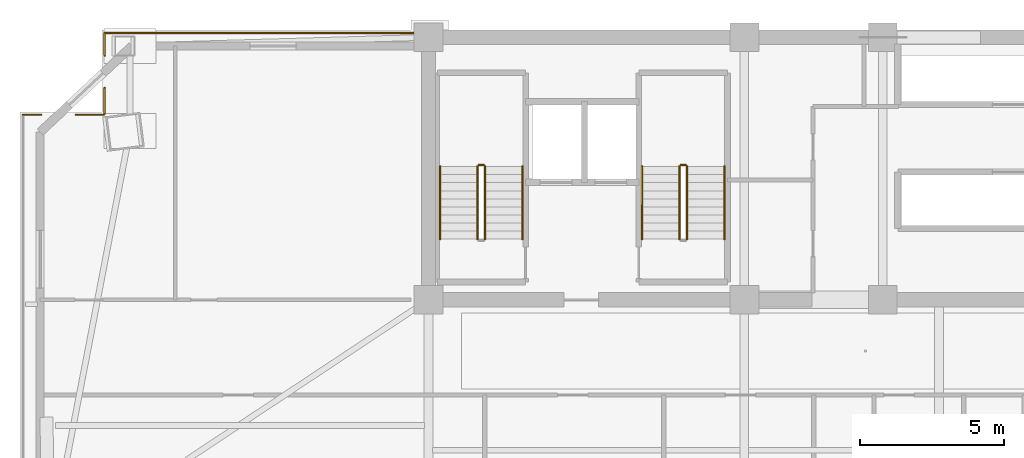
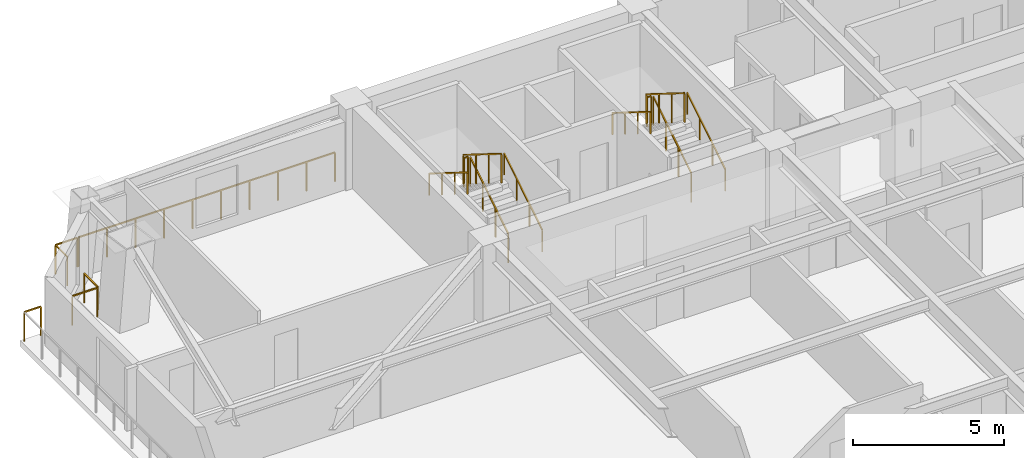
# One storey, part 15 of 16: 16 railings.
"""IFC4 building model written with IfcOpenShell, lengths in metres."""

import ifcopenshell
import ifcopenshell.guid

model = None  # the IFC model being written
_history = None  # IfcOwnerHistory: only IFC2X3 demands one
_inside = {}  # id of a spatial element -> (the spatial element, [elements in it])
_under = {}  # id of a project, library or spatial element -> (it, [spatial elements below it])
_declared = {}  # id of a project -> (the project, [libraries it declares])
_typed = {}  # id of a type object -> (the type object, [elements of that type])
_made_of = {}  # id of a material, layer set ... -> (it, [elements and type objects made of it])


def new_model(schema):
    """Start an empty IFC model of exactly this schema.

    Asked for "IFC4X3", IfcOpenShell would pick the latest addendum, in which some entities
    have other attributes; the version numbers below select the first issue.
    IFC2X3 requires an IfcOwnerHistory on every rooted entity: one is made here for all.
    """
    global model, _history
    if schema == "IFC4X3":
        model = ifcopenshell.file(schema_version=(4, 3, 0, 0))
    else:
        model = ifcopenshell.file(schema=schema)
    _inside.clear()
    _under.clear()
    _declared.clear()
    _typed.clear()
    _made_of.clear()
    _history = None
    if model.schema == "IFC2X3":
        org = make("IfcOrganization", Name="unknown")
        user = make(
            "IfcPersonAndOrganization",
            ThePerson=make("IfcPerson", FamilyName="unknown"),
            TheOrganization=org,
        )
        app = make(
            "IfcApplication",
            ApplicationDeveloper=org,
            Version="unknown",
            ApplicationFullName="unknown",
            ApplicationIdentifier="unknown",
        )
        _history = make(
            "IfcOwnerHistory",
            OwningUser=user,
            OwningApplication=app,
            ChangeAction="ADDED",
            CreationDate=0,
        )
    return model


def make(cls, **values):
    """One entity of the class cls with the attributes given. An attribute that is None is left unset."""
    return model.create_entity(
        cls, **{name: value for name, value in values.items() if value is not None}
    )


def rooted(cls, **values):
    """An entity with a GlobalId (a new one), such as an element, a storey or a relation."""
    return make(cls, GlobalId=ifcopenshell.guid.new(), OwnerHistory=_history, **values)


def si_unit(unit_type, name, prefix=None):
    """IfcSIUnit, for example si_unit("LENGTHUNIT", "METRE", prefix="MILLI")."""
    return make("IfcSIUnit", UnitType=unit_type, Prefix=prefix, Name=name)


def assignment(units):
    """IfcUnitAssignment: the units of a project."""
    return None if units is None else make("IfcUnitAssignment", Units=units)


def point(xyz):
    """IfcCartesianPoint."""
    return None if xyz is None else make("IfcCartesianPoint", Coordinates=xyz)


def direction(xyz):
    """IfcDirection."""
    return None if xyz is None else make("IfcDirection", DirectionRatios=xyz)


def frame(location, z_axis=None, x_axis=None):
    """IfcAxis2Placement3D, a coordinate frame: its origin and axes. An axis left out is left unset."""
    return make(
        "IfcAxis2Placement3D",
        Location=point(location),
        Axis=direction(z_axis),
        RefDirection=direction(x_axis),
    )


def frame_2d(location, x_axis=None):
    """IfcAxis2Placement2D, a coordinate frame in the plane: its origin and x axis."""
    return make(
        "IfcAxis2Placement2D", Location=point(location), RefDirection=direction(x_axis)
    )


def origin():
    """The frame at (0, 0, 0) with its axes left unset."""
    return frame((0.0, 0.0, 0.0))


def origin_2d():
    """The frame at (0, 0) in the plane with its x axis left unset."""
    return frame_2d((0.0, 0.0))


def place(relative_to, where):
    """IfcLocalPlacement: puts the frame where relative to a parent placement (None: the world)."""
    return make(
        "IfcLocalPlacement", PlacementRelTo=relative_to, RelativePlacement=where
    )


def context(
    kind, dimensions, precision=None, world=None, true_north=None, identifier=None
):
    """IfcGeometricRepresentationContext, for example the 3D "Model" context."""
    return make(
        "IfcGeometricRepresentationContext",
        ContextIdentifier=identifier,
        ContextType=kind,
        CoordinateSpaceDimension=dimensions,
        Precision=precision,
        WorldCoordinateSystem=world,
        TrueNorth=true_north,
    )


def subcontext(parent, identifier, kind, view, scale=None):
    """IfcGeometricRepresentationSubContext, for example "Body" below "Model"."""
    return make(
        "IfcGeometricRepresentationSubContext",
        ContextIdentifier=identifier,
        ContextType=kind,
        ParentContext=parent,
        TargetScale=scale,
        TargetView=view,
    )


def project(units=None, contexts=None):
    """IfcProject with its units and contexts."""
    return rooted(
        "IfcProject",
        Name="project",
        RepresentationContexts=contexts,
        UnitsInContext=assignment(units),
    )


def spatial(cls, under=None, at=None, **own):
    """A site, building, storey or space (cls), placed at a placement, below another one or the project."""
    s = rooted(cls, ObjectPlacement=at, **own)
    if under is not None:
        _under.setdefault(under.id(), (under, []))[1].append(s)
    return s


def profile(cls, at=None, kind="AREA", **sizes):
    """A parametric profile (cls). Its sizes go by their IFC names, for example OverallWidth=200.0."""
    return make(cls, ProfileType=kind, Position=at, **sizes)


def rectangle(**sizes):
    """IfcRectangleProfileDef."""
    return profile("IfcRectangleProfileDef", **sizes)


def extrude(swept, where, along, depth):
    """IfcExtrudedAreaSolid: the profile swept, set in the frame where, extruded along a direction by depth."""
    return make(
        "IfcExtrudedAreaSolid",
        SweptArea=swept,
        Position=where,
        ExtrudedDirection=direction(along),
        Depth=depth,
    )


def shape(context_of_items, identifier, shape_type, items):
    """IfcShapeRepresentation: the items that make up one representation, for example the "Body"."""
    return make(
        "IfcShapeRepresentation",
        ContextOfItems=context_of_items,
        RepresentationIdentifier=identifier,
        RepresentationType=shape_type,
        Items=items,
    )


def material(Name=None, Category=None):
    """IfcMaterial."""
    return make("IfcMaterial", Name=Name, Category=Category)


def made_of(thing, what):
    """Note that an element or type object is made of a material, layer set ...; save() writes the relation."""
    if what is not None:
        _made_of.setdefault(what.id(), (what, []))[1].append(thing)
    return thing


def type_object(cls, material=None, **own):
    """A type object (cls), such as IfcWallType, which elements share."""
    return made_of(rooted(cls, **own), material)


def element(
    cls,
    number,
    at=None,
    inside=None,
    cuts=None,
    type_object=None,
    material=None,
    context=None,
    identifier="Body",
    shape_type=None,
    held_by="IfcProductDefinitionShape",
    body=None,
    shapes=None,
    **own,
):
    """One element of the class cls, such as IfcWall. Its Tag is "e" and its number.

    at: its placement. inside: the storey or other place that contains it. cuts: it is an
    opening in that element (IfcRelVoidsElement). A single representation is given by context,
    identifier, shape_type and body (its items); several are given by shapes. held_by: the class
    of the entity that holds the representations. save() writes the other relations.
    """
    e = rooted(cls, Tag="e%d" % number, ObjectPlacement=at, **own)
    if body is not None:
        shapes = [shape(context, identifier, shape_type, body)]
    if shapes is not None:
        e.Representation = make(held_by, Representations=shapes)
    if inside is not None:
        _inside.setdefault(inside.id(), (inside, []))[1].append(e)
    if cuts is not None:
        rooted(
            "IfcRelVoidsElement", RelatingBuildingElement=cuts, RelatedOpeningElement=e
        )
    if type_object is not None:
        _typed.setdefault(type_object.id(), (type_object, []))[1].append(e)
    return made_of(e, material)


def aggregate(whole, parts):
    """IfcRelAggregates: a whole, such as a stair, and the parts it consists of."""
    return rooted("IfcRelAggregates", RelatingObject=whole, RelatedObjects=parts)


def save(model, path):
    """Write the relations noted so far, then the file.

    IfcRelAggregates (storeys below a building ...), IfcRelContainedInSpatialStructure (elements
    in a storey), IfcRelDefinesByType, IfcRelAssociatesMaterial and IfcRelDeclares: one each for
    every whole, place, type object, material and project.
    """
    for whole, parts in _under.values():
        aggregate(whole, parts)
    for where, things in _inside.values():
        rooted(
            "IfcRelContainedInSpatialStructure",
            RelatedElements=things,
            RelatingStructure=where,
        )
    for kind, things in _typed.values():
        rooted("IfcRelDefinesByType", RelatedObjects=things, RelatingType=kind)
    for what, things in _made_of.values():
        rooted("IfcRelAssociatesMaterial", RelatedObjects=things, RelatingMaterial=what)
    for by, libraries in _declared.values():
        rooted("IfcRelDeclares", RelatingContext=by, RelatedDefinitions=libraries)
    model.write(path)


model = new_model("IFC4")

# Units and contexts
model_context = context("Model", 3, precision=1e-05, world=origin(), true_north=direction((0.0, 1.0)))
body_context = subcontext(model_context, "Body", "Model", "MODEL_VIEW")
ifc_project = project(units=[si_unit("LENGTHUNIT", "METRE"), si_unit("AREAUNIT", "SQUARE_METRE"), si_unit("VOLUMEUNIT", "CUBIC_METRE"), si_unit("PLANEANGLEUNIT", "RADIAN"), si_unit("MASSUNIT", "GRAM", prefix="KILO")], contexts=[model_context])

# Site, building, storey
site_placement = place(None, origin())
site = spatial("IfcSite", under=ifc_project, at=site_placement, CompositionType="ELEMENT")
building_placement = place(site_placement, origin())
building = spatial("IfcBuilding", under=site, at=building_placement, Name="Giltprow Tower", CompositionType="ELEMENT")
storey_placement = place(building_placement, frame((0.0, 0.0, 199.199951171875)))
storey = spatial("IfcBuildingStorey", under=building, at=storey_placement, Name="L50", CompositionType="ELEMENT", Elevation=199.199951171875)

# Railings
ifc_material = material(Name="Anodized bronze", Category="metal")
railing_type_1 = type_object("IfcRailingType", Name="RAIL-BALC-GUARD-1200", PredefinedType="BALUSTRADE", material=ifc_material)
railing_1_placement = place(storey_placement, frame((5.7890625, 43.864990234375, 0.0)))
element("IfcRailing", 1, at=railing_1_placement, inside=storey, type_object=railing_type_1, Name="L50 Corner Apron Edge Balustrade 14", PredefinedType="BALUSTRADE", context=body_context, shape_type="SweptSolid", body=[
    extrude(rectangle(XDim=0.048095703125, YDim=0.048095703125, at=origin_2d()), frame((0.0, 0.0, 1.17578125), z_axis=(1.0, 0.0, 0.0), x_axis=(0.0, 1.0, 0.0)), (0.0, 0.0, 1.0), 0.640869140625),
    extrude(rectangle(XDim=0.0419921875, YDim=0.0419921875, at=origin_2d()), origin(), (0.0, 0.0, 1.0), 1.15185546875),
    extrude(rectangle(XDim=0.0419921875, YDim=0.0419921875, at=origin_2d()), frame((0.640869140625, 0.0, 0.0)), (0.0, 0.0, 1.0), 1.15185546875),
])
railing_2_placement = place(storey_placement, frame((7.62890625, 43.864990234375, 0.0)))
element("IfcRailing", 2, at=railing_2_placement, inside=storey, type_object=railing_type_1, Name="L50 Corner Apron Edge Balustrade 15", PredefinedType="BALUSTRADE", context=body_context, shape_type="SweptSolid", body=[
    extrude(rectangle(XDim=0.048095703125, YDim=0.048095703125, at=origin_2d()), frame((0.0, 0.0, 1.17578125), z_axis=(1.0, 0.0, 0.0), x_axis=(0.0, 1.0, 0.0)), (0.0, 0.0, 1.0), 0.960205078125),
    extrude(rectangle(XDim=0.0419921875, YDim=0.0419921875, at=origin_2d()), origin(), (0.0, 0.0, 1.0), 1.15185546875),
    extrude(rectangle(XDim=0.0419921875, YDim=0.0419921875, at=origin_2d()), frame((0.960205078125, 0.0, 0.0)), (0.0, 0.0, 1.0), 1.15185546875),
])
railing_3_placement = place(storey_placement, frame((8.6240234375, 43.89990234375, 0.0)))
element("IfcRailing", 3, at=railing_3_placement, inside=storey, type_object=railing_type_1, Name="L50 Corner Apron Edge Balustrade 16", PredefinedType="BALUSTRADE", context=body_context, shape_type="SweptSolid", body=[
    extrude(rectangle(XDim=0.048095703125, YDim=0.048095703125, at=origin_2d()), frame((0.0, 0.0, 1.17578125), z_axis=(0.0, 1.0, 0.0), x_axis=(-1.0, 0.0, 0.0)), (0.0, 0.0, 1.0), 0.898193359375),
    extrude(rectangle(XDim=0.0419921875, YDim=0.0419921875, at=origin_2d()), origin(), (0.0, 0.0, 1.0), 1.15185546875),
    extrude(rectangle(XDim=0.0419921875, YDim=0.0419921875, at=origin_2d()), frame((0.0, 0.898193359375, 0.0)), (0.0, 0.0, 1.0), 1.15185546875),
])
railing_4_placement = place(storey_placement, frame((8.6240234375, 45.922119140625, 0.0)))
element("IfcRailing", 4, at=railing_4_placement, inside=storey, type_object=railing_type_1, Name="L50 Corner Apron Edge Balustrade 17", PredefinedType="BALUSTRADE", context=body_context, shape_type="SweptSolid", body=[
    extrude(rectangle(XDim=0.048095703125, YDim=0.048095703125, at=origin_2d()), frame((0.0, 0.0, 1.17578125), z_axis=(0.0, 1.0, 0.0), x_axis=(-1.0, 0.0, 0.0)), (0.0, 0.0, 1.0), 0.77783203125),
    extrude(rectangle(XDim=0.0419921875, YDim=0.0419921875, at=origin_2d()), origin(), (0.0, 0.0, 1.0), 1.15185546875),
    extrude(rectangle(XDim=0.0419921875, YDim=0.0419921875, at=origin_2d()), frame((0.0, 0.77783203125, 0.0)), (0.0, 0.0, 1.0), 1.15185546875),
])
railing_5_placement = place(storey_placement, frame((8.6240234375, 46.699951171875, 0.0)))
element("IfcRailing", 5, at=railing_5_placement, inside=storey, type_object=railing_type_1, Name="L50 Corner Apron Edge Balustrade 18", PredefinedType="BALUSTRADE", context=body_context, shape_type="SweptSolid", body=[
    extrude(rectangle(XDim=0.048095703125, YDim=0.048095703125, at=origin_2d()), frame((0.0, 0.0, 1.17578125), z_axis=(1.0, 0.0, 0.0), x_axis=(0.0, 1.0, 0.0)), (0.0, 0.0, 1.0), 0.8310546875),
    extrude(rectangle(XDim=0.0419921875, YDim=0.0419921875, at=origin_2d()), origin(), (0.0, 0.0, 1.0), 1.15185546875),
    extrude(rectangle(XDim=0.0419921875, YDim=0.0419921875, at=origin_2d()), frame((0.8310546875, 0.0, 0.0)), (0.0, 0.0, 1.0), 1.15185546875),
])
railing_6_placement = place(storey_placement, frame((9.509033203125, 46.699951171875, 0.0)))
element("IfcRailing", 6, at=railing_6_placement, inside=storey, type_object=railing_type_1, Name="L50 Corner Apron Edge Balustrade 19", PredefinedType="BALUSTRADE", context=body_context, shape_type="SweptSolid", body=[
    extrude(rectangle(XDim=0.048095703125, YDim=0.048095703125, at=origin_2d()), frame((0.0, 0.0, 1.17578125), z_axis=(1.0, 0.0, 0.0), x_axis=(0.0, 1.0, 0.0)), (0.0, 0.0, 1.0), 9.805908203125),
    extrude(rectangle(XDim=0.0419921875, YDim=0.0419921875, at=origin_2d()), origin(), (0.0, 0.0, 1.0), 1.15185546875),
    extrude(rectangle(XDim=0.0419921875, YDim=0.0419921875, at=origin_2d()), frame((1.089599609375, 0.0, 0.0)), (0.0, 0.0, 1.0), 1.15185546875),
    extrude(rectangle(XDim=0.0419921875, YDim=0.0419921875, at=origin_2d()), frame((2.17919921875, 0.0, 0.0)), (0.0, 0.0, 1.0), 1.15185546875),
    extrude(rectangle(XDim=0.0419921875, YDim=0.0419921875, at=origin_2d()), frame((3.2685546875, 0.0, 0.0)), (0.0, 0.0, 1.0), 1.15185546875),
    extrude(rectangle(XDim=0.0419921875, YDim=0.0419921875, at=origin_2d()), frame((4.358154296875, 0.0, 0.0)), (0.0, 0.0, 1.0), 1.15185546875),
    extrude(rectangle(XDim=0.0419921875, YDim=0.0419921875, at=origin_2d()), frame((5.44775390625, 0.0, 0.0)), (0.0, 0.0, 1.0), 1.15185546875),
    extrude(rectangle(XDim=0.0419921875, YDim=0.0419921875, at=origin_2d()), frame((6.537353515625, 0.0, 0.0)), (0.0, 0.0, 1.0), 1.15185546875),
    extrude(rectangle(XDim=0.0419921875, YDim=0.0419921875, at=origin_2d()), frame((7.626708984375, 0.0, 0.0)), (0.0, 0.0, 1.0), 1.15185546875),
    extrude(rectangle(XDim=0.0419921875, YDim=0.0419921875, at=origin_2d()), frame((8.71630859375, 0.0, 0.0)), (0.0, 0.0, 1.0), 1.15185546875),
    extrude(rectangle(XDim=0.0419921875, YDim=0.0419921875, at=origin_2d()), frame((9.805908203125, 0.0, 0.0)), (0.0, 0.0, 1.0), 1.15185546875),
])
railing_type_2 = type_object("IfcRailingType", Name="RAIL-STAIR-GUARD-1200", PredefinedType="GUARDRAIL", material=ifc_material)
railing_7_placement = place(storey_placement, frame((21.81005859375, 39.550048828125, 0.175048828125)))
element("IfcRailing", 7, at=railing_7_placement, inside=storey, type_object=railing_type_2, Name="L50 ST-1 stair guard 1", PredefinedType="GUARDRAIL", context=body_context, shape_type="SweptSolid", body=[
    extrude(rectangle(XDim=0.048095703125, YDim=0.048095703125, at=origin_2d()), frame((0.0, 0.0, 1.17578125), z_axis=(0.0, 0.848007534815, 0.529984170421), x_axis=(-1.0, 0.0, 0.0)), (0.0, 0.0, 1.0), 2.9716796875),
    extrude(rectangle(XDim=0.0419921875, YDim=0.0419921875, at=origin_2d()), origin(), (0.0, 0.0, 1.0), 1.15185546875),
    extrude(rectangle(XDim=0.0419921875, YDim=0.0419921875, at=origin_2d()), frame((0.0, 0.840087890625, 0.52490234375)), (0.0, 0.0, 1.0), 1.15185546875),
    extrude(rectangle(XDim=0.0419921875, YDim=0.0419921875, at=origin_2d()), frame((0.0, 1.679931640625, 1.050048828125)), (0.0, 0.0, 1.0), 1.15185546875),
    extrude(rectangle(XDim=0.0419921875, YDim=0.0419921875, at=origin_2d()), frame((0.0, 2.52001953125, 1.574951171875)), (0.0, 0.0, 1.0), 1.15185546875),
])
railing_8_placement = place(storey_placement, frame((21.760009765625, 42.1201171875, 1.75)))
element("IfcRailing", 8, at=railing_8_placement, inside=storey, type_object=railing_type_2, Name="L50 ST-1 stair guard 2", PredefinedType="GUARDRAIL", context=body_context, shape_type="SweptSolid", body=[
    extrude(rectangle(XDim=0.048095703125, YDim=0.048095703125, at=origin_2d()), frame((0.0, 0.0, 1.17578125), z_axis=(-1.0, 0.0, 0.0), x_axis=(0.0, -1.0, 0.0)), (0.0, 0.0, 1.0), 0.159912109375),
    extrude(rectangle(XDim=0.0419921875, YDim=0.0419921875, at=origin_2d()), origin(), (0.0, 0.0, 1.0), 1.15185546875),
    extrude(rectangle(XDim=0.0419921875, YDim=0.0419921875, at=origin_2d()), frame((-0.159912109375, 0.0, 0.0)), (0.0, 0.0, 1.0), 1.15185546875),
])
railing_9_placement = place(storey_placement, frame((21.550048828125, 42.070068359375, 1.925048828125)))
element("IfcRailing", 9, at=railing_9_placement, inside=storey, type_object=railing_type_2, Name="L50 ST-1 stair guard 3", PredefinedType="GUARDRAIL", context=body_context, shape_type="SweptSolid", body=[
    extrude(rectangle(XDim=0.048095703125, YDim=0.048095703125, at=origin_2d()), frame((0.0, 0.0, 1.17578125), z_axis=(0.0, -0.848007534815, 0.529984170421), x_axis=(1.0, 0.0, 0.0)), (0.0, 0.0, 1.0), 2.9716796875),
    extrude(rectangle(XDim=0.0419921875, YDim=0.0419921875, at=origin_2d()), origin(), (0.0, 0.0, 1.0), 1.15185546875),
    extrude(rectangle(XDim=0.0419921875, YDim=0.0419921875, at=origin_2d()), frame((0.0, -0.840087890625, 0.52490234375)), (0.0, 0.0, 1.0), 1.15185546875),
    extrude(rectangle(XDim=0.0419921875, YDim=0.0419921875, at=origin_2d()), frame((0.0, -1.679931640625, 1.050048828125)), (0.0, 0.0, 1.0), 1.15185546875),
    extrude(rectangle(XDim=0.0419921875, YDim=0.0419921875, at=origin_2d()), frame((0.0, -2.52001953125, 1.574951171875)), (0.0, 0.0, 1.0), 1.15185546875),
])
railing_10_placement = place(storey_placement, frame((28.81005859375, 39.550048828125, 0.175048828125)))
element("IfcRailing", 10, at=railing_10_placement, inside=storey, type_object=railing_type_2, Name="L50 ST-2 stair guard 1", PredefinedType="GUARDRAIL", context=body_context, shape_type="SweptSolid", body=[
    extrude(rectangle(XDim=0.048095703125, YDim=0.048095703125, at=origin_2d()), frame((0.0, 0.0, 1.17578125), z_axis=(0.0, 0.848007534815, 0.529984170421), x_axis=(-1.0, 0.0, 0.0)), (0.0, 0.0, 1.0), 2.9716796875),
    extrude(rectangle(XDim=0.0419921875, YDim=0.0419921875, at=origin_2d()), origin(), (0.0, 0.0, 1.0), 1.15185546875),
    extrude(rectangle(XDim=0.0419921875, YDim=0.0419921875, at=origin_2d()), frame((0.0, 0.840087890625, 0.52490234375)), (0.0, 0.0, 1.0), 1.15185546875),
    extrude(rectangle(XDim=0.0419921875, YDim=0.0419921875, at=origin_2d()), frame((0.0, 1.679931640625, 1.050048828125)), (0.0, 0.0, 1.0), 1.15185546875),
    extrude(rectangle(XDim=0.0419921875, YDim=0.0419921875, at=origin_2d()), frame((0.0, 2.52001953125, 1.574951171875)), (0.0, 0.0, 1.0), 1.15185546875),
])
railing_11_placement = place(storey_placement, frame((28.760009765625, 42.1201171875, 1.75)))
element("IfcRailing", 11, at=railing_11_placement, inside=storey, type_object=railing_type_2, Name="L50 ST-2 stair guard 2", PredefinedType="GUARDRAIL", context=body_context, shape_type="SweptSolid", body=[
    extrude(rectangle(XDim=0.048095703125, YDim=0.048095703125, at=origin_2d()), frame((0.0, 0.0, 1.17578125), z_axis=(-1.0, 0.0, 0.0), x_axis=(0.0, -1.0, 0.0)), (0.0, 0.0, 1.0), 0.159912109375),
    extrude(rectangle(XDim=0.0419921875, YDim=0.0419921875, at=origin_2d()), origin(), (0.0, 0.0, 1.0), 1.15185546875),
    extrude(rectangle(XDim=0.0419921875, YDim=0.0419921875, at=origin_2d()), frame((-0.159912109375, 0.0, 0.0)), (0.0, 0.0, 1.0), 1.15185546875),
])
railing_12_placement = place(storey_placement, frame((28.550048828125, 42.070068359375, 1.925048828125)))
element("IfcRailing", 12, at=railing_12_placement, inside=storey, type_object=railing_type_2, Name="L50 ST-2 stair guard 3", PredefinedType="GUARDRAIL", context=body_context, shape_type="SweptSolid", body=[
    extrude(rectangle(XDim=0.048095703125, YDim=0.048095703125, at=origin_2d()), frame((0.0, 0.0, 1.17578125), z_axis=(0.0, -0.848007534815, 0.529984170421), x_axis=(1.0, 0.0, 0.0)), (0.0, 0.0, 1.0), 2.9716796875),
    extrude(rectangle(XDim=0.0419921875, YDim=0.0419921875, at=origin_2d()), origin(), (0.0, 0.0, 1.0), 1.15185546875),
    extrude(rectangle(XDim=0.0419921875, YDim=0.0419921875, at=origin_2d()), frame((0.0, -0.840087890625, 0.52490234375)), (0.0, 0.0, 1.0), 1.15185546875),
    extrude(rectangle(XDim=0.0419921875, YDim=0.0419921875, at=origin_2d()), frame((0.0, -1.679931640625, 1.050048828125)), (0.0, 0.0, 1.0), 1.15185546875),
    extrude(rectangle(XDim=0.0419921875, YDim=0.0419921875, at=origin_2d()), frame((0.0, -2.52001953125, 1.574951171875)), (0.0, 0.0, 1.0), 1.15185546875),
])
railing_type_3 = type_object("IfcRailingType", Name="RAIL-STAIR-HAND-900", PredefinedType="HANDRAIL", material=ifc_material)
railing_13_placement = place(storey_placement, frame((23.110107421875, 39.550048828125, 0.175048828125)))
element("IfcRailing", 13, at=railing_13_placement, inside=storey, type_object=railing_type_3, Name="L50 ST-1 stair handrail 1", PredefinedType="HANDRAIL", context=body_context, shape_type="SweptSolid", body=[
    extrude(rectangle(XDim=0.048095703125, YDim=0.048095703125, at=origin_2d()), frame((0.0, 0.0, 0.8759765625), z_axis=(0.0, 0.848007534815, 0.529984170421), x_axis=(-1.0, 0.0, 0.0)), (0.0, 0.0, 1.0), 2.9716796875),
    extrude(rectangle(XDim=0.0419921875, YDim=0.0419921875, at=origin_2d()), origin(), (0.0, 0.0, 1.0), 0.851806640625),
    extrude(rectangle(XDim=0.0419921875, YDim=0.0419921875, at=origin_2d()), frame((0.0, 0.840087890625, 0.52490234375)), (0.0, 0.0, 1.0), 0.851806640625),
    extrude(rectangle(XDim=0.0419921875, YDim=0.0419921875, at=origin_2d()), frame((0.0, 1.679931640625, 1.050048828125)), (0.0, 0.0, 1.0), 0.851806640625),
    extrude(rectangle(XDim=0.0419921875, YDim=0.0419921875, at=origin_2d()), frame((0.0, 2.52001953125, 1.574951171875)), (0.0, 0.0, 1.0), 0.851806640625),
])
railing_14_placement = place(storey_placement, frame((20.25, 42.070068359375, 1.925048828125)))
element("IfcRailing", 14, at=railing_14_placement, inside=storey, type_object=railing_type_3, Name="L50 ST-1 stair handrail 2", PredefinedType="HANDRAIL", context=body_context, shape_type="SweptSolid", body=[
    extrude(rectangle(XDim=0.048095703125, YDim=0.048095703125, at=origin_2d()), frame((0.0, 0.0, 0.8759765625), z_axis=(0.0, -0.848007534815, 0.529984170421), x_axis=(1.0, 0.0, 0.0)), (0.0, 0.0, 1.0), 2.9716796875),
    extrude(rectangle(XDim=0.0419921875, YDim=0.0419921875, at=origin_2d()), origin(), (0.0, 0.0, 1.0), 0.851806640625),
    extrude(rectangle(XDim=0.0419921875, YDim=0.0419921875, at=origin_2d()), frame((0.0, -0.840087890625, 0.52490234375)), (0.0, 0.0, 1.0), 0.851806640625),
    extrude(rectangle(XDim=0.0419921875, YDim=0.0419921875, at=origin_2d()), frame((0.0, -1.679931640625, 1.050048828125)), (0.0, 0.0, 1.0), 0.851806640625),
    extrude(rectangle(XDim=0.0419921875, YDim=0.0419921875, at=origin_2d()), frame((0.0, -2.52001953125, 1.574951171875)), (0.0, 0.0, 1.0), 0.851806640625),
])
railing_15_placement = place(storey_placement, frame((30.110107421875, 39.550048828125, 0.175048828125)))
element("IfcRailing", 15, at=railing_15_placement, inside=storey, type_object=railing_type_3, Name="L50 ST-2 stair handrail 1", PredefinedType="HANDRAIL", context=body_context, shape_type="SweptSolid", body=[
    extrude(rectangle(XDim=0.048095703125, YDim=0.048095703125, at=origin_2d()), frame((0.0, 0.0, 0.8759765625), z_axis=(0.0, 0.848007534815, 0.529984170421), x_axis=(-1.0, 0.0, 0.0)), (0.0, 0.0, 1.0), 2.9716796875),
    extrude(rectangle(XDim=0.0419921875, YDim=0.0419921875, at=origin_2d()), origin(), (0.0, 0.0, 1.0), 0.851806640625),
    extrude(rectangle(XDim=0.0419921875, YDim=0.0419921875, at=origin_2d()), frame((0.0, 0.840087890625, 0.52490234375)), (0.0, 0.0, 1.0), 0.851806640625),
    extrude(rectangle(XDim=0.0419921875, YDim=0.0419921875, at=origin_2d()), frame((0.0, 1.679931640625, 1.050048828125)), (0.0, 0.0, 1.0), 0.851806640625),
    extrude(rectangle(XDim=0.0419921875, YDim=0.0419921875, at=origin_2d()), frame((0.0, 2.52001953125, 1.574951171875)), (0.0, 0.0, 1.0), 0.851806640625),
])
railing_16_placement = place(storey_placement, frame((27.25, 42.070068359375, 1.925048828125)))
element("IfcRailing", 16, at=railing_16_placement, inside=storey, type_object=railing_type_3, Name="L50 ST-2 stair handrail 2", PredefinedType="HANDRAIL", context=body_context, shape_type="SweptSolid", body=[
    extrude(rectangle(XDim=0.048095703125, YDim=0.048095703125, at=origin_2d()), frame((0.0, 0.0, 0.8759765625), z_axis=(0.0, -0.848007534815, 0.529984170421), x_axis=(1.0, 0.0, 0.0)), (0.0, 0.0, 1.0), 2.9716796875),
    extrude(rectangle(XDim=0.0419921875, YDim=0.0419921875, at=origin_2d()), origin(), (0.0, 0.0, 1.0), 0.851806640625),
    extrude(rectangle(XDim=0.0419921875, YDim=0.0419921875, at=origin_2d()), frame((0.0, -0.840087890625, 0.52490234375)), (0.0, 0.0, 1.0), 0.851806640625),
    extrude(rectangle(XDim=0.0419921875, YDim=0.0419921875, at=origin_2d()), frame((0.0, -1.679931640625, 1.050048828125)), (0.0, 0.0, 1.0), 0.851806640625),
    extrude(rectangle(XDim=0.0419921875, YDim=0.0419921875, at=origin_2d()), frame((0.0, -2.52001953125, 1.574951171875)), (0.0, 0.0, 1.0), 0.851806640625),
])

save(model, "model.ifc")
